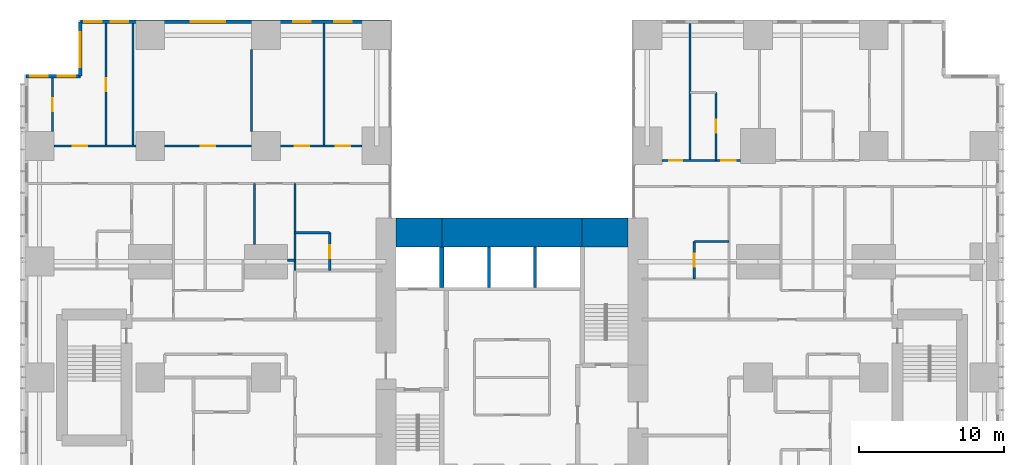
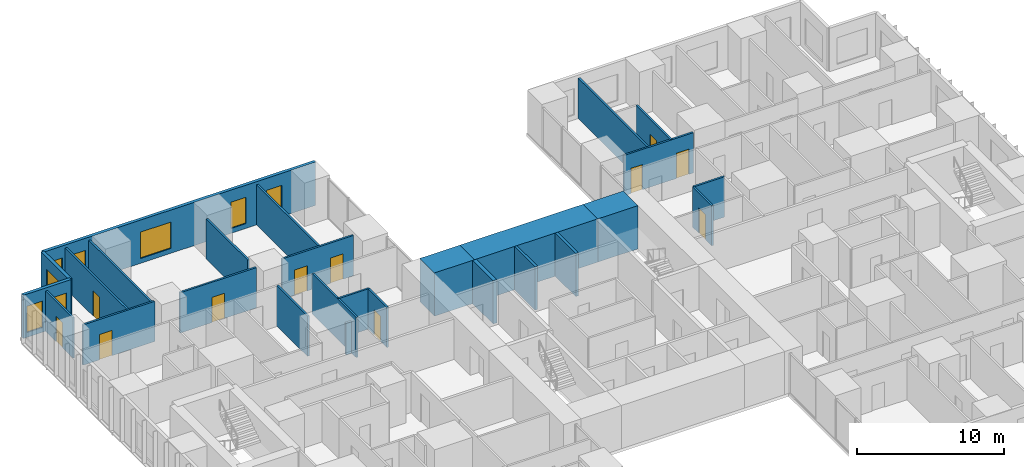
# One storey, part 17 of 20: 27 walls, 11 doors, 8 windows, 19 openings.
"""IFC4 building model written with IfcOpenShell, lengths in metres."""

import ifcopenshell
import ifcopenshell.guid

model = None  # the IFC model being written
_history = None  # IfcOwnerHistory: only IFC2X3 demands one
_inside = {}  # id of a spatial element -> (the spatial element, [elements in it])
_under = {}  # id of a project, library or spatial element -> (it, [spatial elements below it])
_declared = {}  # id of a project -> (the project, [libraries it declares])
_typed = {}  # id of a type object -> (the type object, [elements of that type])
_made_of = {}  # id of a material, layer set ... -> (it, [elements and type objects made of it])


def new_model(schema):
    """Start an empty IFC model of exactly this schema.

    Asked for "IFC4X3", IfcOpenShell would pick the latest addendum, in which some entities
    have other attributes; the version numbers below select the first issue.
    IFC2X3 requires an IfcOwnerHistory on every rooted entity: one is made here for all.
    """
    global model, _history
    if schema == "IFC4X3":
        model = ifcopenshell.file(schema_version=(4, 3, 0, 0))
    else:
        model = ifcopenshell.file(schema=schema)
    _inside.clear()
    _under.clear()
    _declared.clear()
    _typed.clear()
    _made_of.clear()
    _history = None
    if model.schema == "IFC2X3":
        org = make("IfcOrganization", Name="unknown")
        user = make(
            "IfcPersonAndOrganization",
            ThePerson=make("IfcPerson", FamilyName="unknown"),
            TheOrganization=org,
        )
        app = make(
            "IfcApplication",
            ApplicationDeveloper=org,
            Version="unknown",
            ApplicationFullName="unknown",
            ApplicationIdentifier="unknown",
        )
        _history = make(
            "IfcOwnerHistory",
            OwningUser=user,
            OwningApplication=app,
            ChangeAction="ADDED",
            CreationDate=0,
        )
    return model


def make(cls, **values):
    """One entity of the class cls with the attributes given. An attribute that is None is left unset."""
    return model.create_entity(
        cls, **{name: value for name, value in values.items() if value is not None}
    )


def rooted(cls, **values):
    """An entity with a GlobalId (a new one), such as an element, a storey or a relation."""
    return make(cls, GlobalId=ifcopenshell.guid.new(), OwnerHistory=_history, **values)


def si_unit(unit_type, name, prefix=None):
    """IfcSIUnit, for example si_unit("LENGTHUNIT", "METRE", prefix="MILLI")."""
    return make("IfcSIUnit", UnitType=unit_type, Prefix=prefix, Name=name)


def assignment(units):
    """IfcUnitAssignment: the units of a project."""
    return None if units is None else make("IfcUnitAssignment", Units=units)


def point(xyz):
    """IfcCartesianPoint."""
    return None if xyz is None else make("IfcCartesianPoint", Coordinates=xyz)


def direction(xyz):
    """IfcDirection."""
    return None if xyz is None else make("IfcDirection", DirectionRatios=xyz)


def frame(location, z_axis=None, x_axis=None):
    """IfcAxis2Placement3D, a coordinate frame: its origin and axes. An axis left out is left unset."""
    return make(
        "IfcAxis2Placement3D",
        Location=point(location),
        Axis=direction(z_axis),
        RefDirection=direction(x_axis),
    )


def frame_2d(location, x_axis=None):
    """IfcAxis2Placement2D, a coordinate frame in the plane: its origin and x axis."""
    return make(
        "IfcAxis2Placement2D", Location=point(location), RefDirection=direction(x_axis)
    )


def origin():
    """The frame at (0, 0, 0) with its axes left unset."""
    return frame((0.0, 0.0, 0.0))


def place(relative_to, where):
    """IfcLocalPlacement: puts the frame where relative to a parent placement (None: the world)."""
    return make(
        "IfcLocalPlacement", PlacementRelTo=relative_to, RelativePlacement=where
    )


def context(
    kind, dimensions, precision=None, world=None, true_north=None, identifier=None
):
    """IfcGeometricRepresentationContext, for example the 3D "Model" context."""
    return make(
        "IfcGeometricRepresentationContext",
        ContextIdentifier=identifier,
        ContextType=kind,
        CoordinateSpaceDimension=dimensions,
        Precision=precision,
        WorldCoordinateSystem=world,
        TrueNorth=true_north,
    )


def subcontext(parent, identifier, kind, view, scale=None):
    """IfcGeometricRepresentationSubContext, for example "Body" below "Model"."""
    return make(
        "IfcGeometricRepresentationSubContext",
        ContextIdentifier=identifier,
        ContextType=kind,
        ParentContext=parent,
        TargetScale=scale,
        TargetView=view,
    )


def project(units=None, contexts=None):
    """IfcProject with its units and contexts."""
    return rooted(
        "IfcProject",
        Name="project",
        RepresentationContexts=contexts,
        UnitsInContext=assignment(units),
    )


def spatial(cls, under=None, at=None, **own):
    """A site, building, storey or space (cls), placed at a placement, below another one or the project."""
    s = rooted(cls, ObjectPlacement=at, **own)
    if under is not None:
        _under.setdefault(under.id(), (under, []))[1].append(s)
    return s


def profile(cls, at=None, kind="AREA", **sizes):
    """A parametric profile (cls). Its sizes go by their IFC names, for example OverallWidth=200.0."""
    return make(cls, ProfileType=kind, Position=at, **sizes)


def rectangle(**sizes):
    """IfcRectangleProfileDef."""
    return profile("IfcRectangleProfileDef", **sizes)


def extrude(swept, where, along, depth):
    """IfcExtrudedAreaSolid: the profile swept, set in the frame where, extruded along a direction by depth."""
    return make(
        "IfcExtrudedAreaSolid",
        SweptArea=swept,
        Position=where,
        ExtrudedDirection=direction(along),
        Depth=depth,
    )


def shape(context_of_items, identifier, shape_type, items):
    """IfcShapeRepresentation: the items that make up one representation, for example the "Body"."""
    return make(
        "IfcShapeRepresentation",
        ContextOfItems=context_of_items,
        RepresentationIdentifier=identifier,
        RepresentationType=shape_type,
        Items=items,
    )


def material(Name=None, Category=None):
    """IfcMaterial."""
    return make("IfcMaterial", Name=Name, Category=Category)


def layer(
    of_material, thickness, ventilated=None, Name=None, Category=None, Priority=None
):
    """IfcMaterialLayer: one layer of a wall or slab, of a material (None: an air gap)."""
    return make(
        "IfcMaterialLayer",
        Material=of_material,
        LayerThickness=thickness,
        IsVentilated=ventilated,
        Name=Name,
        Category=Category,
        Priority=Priority,
    )


def layer_set(layers, Name=None):
    """IfcMaterialLayerSet."""
    return make("IfcMaterialLayerSet", MaterialLayers=layers, LayerSetName=Name)


def made_of(thing, what):
    """Note that an element or type object is made of a material, layer set ...; save() writes the relation."""
    if what is not None:
        _made_of.setdefault(what.id(), (what, []))[1].append(thing)
    return thing


def type_object(cls, material=None, **own):
    """A type object (cls), such as IfcWallType, which elements share."""
    return made_of(rooted(cls, **own), material)


def element(
    cls,
    number,
    at=None,
    inside=None,
    cuts=None,
    type_object=None,
    material=None,
    context=None,
    identifier="Body",
    shape_type=None,
    held_by="IfcProductDefinitionShape",
    body=None,
    shapes=None,
    **own,
):
    """One element of the class cls, such as IfcWall. Its Tag is "e" and its number.

    at: its placement. inside: the storey or other place that contains it. cuts: it is an
    opening in that element (IfcRelVoidsElement). A single representation is given by context,
    identifier, shape_type and body (its items); several are given by shapes. held_by: the class
    of the entity that holds the representations. save() writes the other relations.
    """
    e = rooted(cls, Tag="e%d" % number, ObjectPlacement=at, **own)
    if body is not None:
        shapes = [shape(context, identifier, shape_type, body)]
    if shapes is not None:
        e.Representation = make(held_by, Representations=shapes)
    if inside is not None:
        _inside.setdefault(inside.id(), (inside, []))[1].append(e)
    if cuts is not None:
        rooted(
            "IfcRelVoidsElement", RelatingBuildingElement=cuts, RelatedOpeningElement=e
        )
    if type_object is not None:
        _typed.setdefault(type_object.id(), (type_object, []))[1].append(e)
    return made_of(e, material)


def fill(opening, filler):
    """IfcRelFillsElement: the door or window that sits in an opening."""
    return rooted(
        "IfcRelFillsElement",
        RelatingOpeningElement=opening,
        RelatedBuildingElement=filler,
    )


def aggregate(whole, parts):
    """IfcRelAggregates: a whole, such as a stair, and the parts it consists of."""
    return rooted("IfcRelAggregates", RelatingObject=whole, RelatedObjects=parts)


def save(model, path):
    """Write the relations noted so far, then the file.

    IfcRelAggregates (storeys below a building ...), IfcRelContainedInSpatialStructure (elements
    in a storey), IfcRelDefinesByType, IfcRelAssociatesMaterial and IfcRelDeclares: one each for
    every whole, place, type object, material and project.
    """
    for whole, parts in _under.values():
        aggregate(whole, parts)
    for where, things in _inside.values():
        rooted(
            "IfcRelContainedInSpatialStructure",
            RelatedElements=things,
            RelatingStructure=where,
        )
    for kind, things in _typed.values():
        rooted("IfcRelDefinesByType", RelatedObjects=things, RelatingType=kind)
    for what, things in _made_of.values():
        rooted("IfcRelAssociatesMaterial", RelatedObjects=things, RelatingMaterial=what)
    for by, libraries in _declared.values():
        rooted("IfcRelDeclares", RelatingContext=by, RelatedDefinitions=libraries)
    model.write(path)


model = new_model("IFC4")

# Units and contexts
model_context = context("Model", 3, precision=1e-05, world=origin(), true_north=direction((0.0, 1.0)))
body_context = subcontext(model_context, "Body", "Model", "MODEL_VIEW")
ifc_project = project(units=[si_unit("LENGTHUNIT", "METRE"), si_unit("AREAUNIT", "SQUARE_METRE"), si_unit("VOLUMEUNIT", "CUBIC_METRE"), si_unit("PLANEANGLEUNIT", "RADIAN"), si_unit("MASSUNIT", "GRAM", prefix="KILO")], contexts=[model_context])

# Site, building, storey
site_placement = place(None, origin())
site = spatial("IfcSite", under=ifc_project, at=site_placement, CompositionType="ELEMENT")
building_placement = place(site_placement, origin())
building = spatial("IfcBuilding", under=site, at=building_placement, Name="Cleftline Residences", CompositionType="ELEMENT")
storey_placement = place(building_placement, frame((0.0, 0.0, 146.60009765625)))
storey = spatial("IfcBuildingStorey", under=building, at=storey_placement, Name="L38", CompositionType="ELEMENT", Elevation=146.60009765625)

# Walls
ifc_material_1 = material(Name="Concrete B70", Category="concrete")
ifc_layer_1 = layer(ifc_material_1, 2.0)
ifc_layer_set_1 = layer_set([ifc_layer_1], Name="CORE WALL 2000")
wall_type_1 = type_object("IfcWallType", Name="CORE WALL 2000", PredefinedType="SHEAR", material=ifc_layer_set_1)
wall_1_placement = place(storey_placement, frame((25.0, 34.0, 0.0), z_axis=(0.0, 0.0, 1.0), x_axis=(1.0, 0.0, 0.0)))
element("IfcWall", 1, at=wall_1_placement, inside=storey, type_object=wall_type_1, Name="Core wall N1", PredefinedType="SHEAR", context=body_context, shape_type="SweptSolid", body=[
    extrude(rectangle(XDim=3.14990234375, YDim=2.0, at=frame_2d((1.574951171875, 0.0))), origin(), (0.0, 0.0, 1.0), 3.599853515625),
])
wall_2_placement = place(storey_placement, frame((28.14990234375, 34.0, 0.0), z_axis=(0.0, 0.0, 1.0), x_axis=(1.0, 0.0, 0.0)))
element("IfcWall", 2, at=wall_2_placement, inside=storey, type_object=wall_type_1, Name="Core wall N2", PredefinedType="SHEAR", context=body_context, shape_type="SweptSolid", body=[
    extrude(rectangle(XDim=9.7001953125, YDim=2.0, at=frame_2d((4.85009765625, 0.0))), origin(), (0.0, 0.0, 1.0), 3.599853515625),
])
wall_3_placement = place(storey_placement, frame((37.85009765625, 34.0, 0.0), z_axis=(0.0, 0.0, 1.0), x_axis=(1.0, 0.0, 0.0)))
element("IfcWall", 3, at=wall_3_placement, inside=storey, type_object=wall_type_1, Name="Core wall N3", PredefinedType="SHEAR", context=body_context, shape_type="SweptSolid", body=[
    extrude(rectangle(XDim=3.14990234375, YDim=2.0, at=frame_2d((1.574951171875, 0.0))), origin(), (0.0, 0.0, 1.0), 3.599853515625),
])
ifc_material_2 = material(Name="Concrete B70", Category="concrete")
ifc_layer_2 = layer(ifc_material_2, 0.300048828125)
ifc_layer_set_2 = layer_set([ifc_layer_2], Name="CORE WALL 300")
wall_type_2 = type_object("IfcWallType", Name="CORE WALL 300", PredefinedType="SHEAR", material=ifc_layer_set_2)
wall_4_placement = place(storey_placement, frame((28.14990234375, 30.199951171875, 0.0), z_axis=(0.0, 0.0, 1.0), x_axis=(0.0, 1.0, 0.0)))
element("IfcWall", 4, at=wall_4_placement, inside=storey, type_object=wall_type_2, Name="Lift shaft wall", PredefinedType="SHEAR", context=body_context, shape_type="SweptSolid", body=[
    extrude(rectangle(XDim=2.800048828125, YDim=0.300048828125, at=frame_2d((1.39990234375, 0.0))), origin(), (0.0, 0.0, 1.0), 3.599853515625),
])

# Wall, openings, windows
ifc_material_3 = material(Name="Rendered reinforced concrete blockwork", Category="masonry")
ifc_layer_3 = layer(ifc_material_3, 0.25)
ifc_layer_set_3 = layer_set([ifc_layer_3], Name="EXTERNAL WALL 250")
wall_type_3 = type_object("IfcWallType", Name="EXTERNAL WALL 250", PredefinedType="SOLIDWALL", material=ifc_layer_set_3)
wall_5_placement = place(storey_placement, frame((24.574951171875, 48.574951171875, 0.0), z_axis=(0.0, 0.0, 1.0), x_axis=(-1.0, 0.0, 0.0)))
wall_5 = element("IfcWall", 5, at=wall_5_placement, inside=storey, type_object=wall_type_3, Name="External wall", PredefinedType="SOLIDWALL", context=body_context, shape_type="SweptSolid", body=[
    extrude(rectangle(XDim=21.39990234375, YDim=0.25, at=frame_2d((10.699951171875, 0.0))), origin(), (0.0, 0.0, 1.0), 3.599853515625),
])
opening_1_placement = place(wall_5_placement, frame((2.64990234375, 0.0, 0.39990234375)))
opening_1 = element("IfcOpeningElement", 6, at=opening_1_placement, cuts=wall_5, Name="Opening W11", PredefinedType="OPENING", context=body_context, shape_type="SweptSolid", body=[
    extrude(rectangle(XDim=1.199951171875, YDim=2.199951171875, at=frame_2d((0.60009765625, 1.10009765625))), frame((0.0, 0.135009765625, 0.0), z_axis=(0.0, -1.0, 0.0), x_axis=(1.0, 0.0, 0.0)), (0.0, 0.0, 1.0), 0.27001953125),
])
opening_2_placement = place(wall_5_placement, frame((5.47509765625, 0.0, 0.39990234375)))
opening_2 = element("IfcOpeningElement", 7, at=opening_2_placement, cuts=wall_5, Name="Opening W11", PredefinedType="OPENING", context=body_context, shape_type="SweptSolid", body=[
    extrude(rectangle(XDim=1.199951171875, YDim=2.199951171875, at=frame_2d((0.60009765625, 1.10009765625))), frame((0.0, 0.135009765625, 0.0), z_axis=(0.0, -1.0, 0.0), x_axis=(1.0, 0.0, 0.0)), (0.0, 0.0, 1.0), 0.27001953125),
])
opening_3_placement = place(wall_5_placement, frame((11.375, 0.0, 0.39990234375)))
opening_3 = element("IfcOpeningElement", 8, at=opening_3_placement, cuts=wall_5, Name="Opening W12", PredefinedType="OPENING", context=body_context, shape_type="SweptSolid", body=[
    extrude(rectangle(XDim=2.39990234375, YDim=2.199951171875, at=frame_2d((1.199951171875, 1.10009765625))), frame((0.0, 0.135009765625, 0.0), z_axis=(0.0, -1.0, 0.0), x_axis=(1.0, 0.0, 0.0)), (0.0, 0.0, 1.0), 0.27001953125),
])
opening_4_placement = place(wall_5_placement, frame((18.10009765625, 0.0, 0.39990234375)))
opening_4 = element("IfcOpeningElement", 9, at=opening_4_placement, cuts=wall_5, Name="Opening W11", PredefinedType="OPENING", context=body_context, shape_type="SweptSolid", body=[
    extrude(rectangle(XDim=1.199951171875, YDim=2.199951171875, at=frame_2d((0.60009765625, 1.10009765625))), frame((0.0, 0.135009765625, 0.0), z_axis=(0.0, -1.0, 0.0), x_axis=(1.0, 0.0, 0.0)), (0.0, 0.0, 1.0), 0.27001953125),
])
opening_5_placement = place(wall_5_placement, frame((19.925048828125, 0.0, 0.39990234375)))
opening_5 = element("IfcOpeningElement", 10, at=opening_5_placement, cuts=wall_5, Name="Opening W11", PredefinedType="OPENING", context=body_context, shape_type="SweptSolid", body=[
    extrude(rectangle(XDim=1.199951171875, YDim=2.199951171875, at=frame_2d((0.60009765625, 1.10009765625))), frame((0.0, 0.135009765625, 0.0), z_axis=(0.0, -1.0, 0.0), x_axis=(1.0, 0.0, 0.0)), (0.0, 0.0, 1.0), 0.27001953125),
])
ifc_material_4 = material(Name="Aluminium frame, clear double glazing", Category="aluminium")
window_type_1 = type_object("IfcWindowType", Name="WINDOW 1200X2200", PartitioningType="DOUBLE_PANEL_VERTICAL", PredefinedType="WINDOW", material=ifc_material_4)
window_1_placement = place(opening_1_placement, origin())
window_1 = element("IfcWindow", 11, at=window_1_placement, inside=storey, type_object=window_type_1, Name="Window", OverallHeight=2.199951171875, OverallWidth=1.199951171875, PartitioningType="SINGLE_PANEL", PredefinedType="WINDOW", context=body_context, shape_type="SweptSolid", body=[
    extrude(rectangle(XDim=1.199951171875, YDim=2.199951171875, at=frame_2d((0.60009765625, 1.10009765625))), frame((0.0, 0.030029296875, 0.0), z_axis=(0.0, -1.0, 0.0), x_axis=(1.0, 0.0, 0.0)), (0.0, 0.0, 1.0), 0.06005859375),
])
fill(opening_1, window_1)
window_2_placement = place(opening_2_placement, origin())
window_2 = element("IfcWindow", 12, at=window_2_placement, inside=storey, type_object=window_type_1, Name="Window", OverallHeight=2.199951171875, OverallWidth=1.199951171875, PartitioningType="SINGLE_PANEL", PredefinedType="WINDOW", context=body_context, shape_type="SweptSolid", body=[
    extrude(rectangle(XDim=1.199951171875, YDim=2.199951171875, at=frame_2d((0.60009765625, 1.10009765625))), frame((0.0, 0.030029296875, 0.0), z_axis=(0.0, -1.0, 0.0), x_axis=(1.0, 0.0, 0.0)), (0.0, 0.0, 1.0), 0.06005859375),
])
fill(opening_2, window_2)
window_3_placement = place(opening_4_placement, origin())
window_3 = element("IfcWindow", 13, at=window_3_placement, inside=storey, type_object=window_type_1, Name="Window", OverallHeight=2.199951171875, OverallWidth=1.199951171875, PartitioningType="SINGLE_PANEL", PredefinedType="WINDOW", context=body_context, shape_type="SweptSolid", body=[
    extrude(rectangle(XDim=1.199951171875, YDim=2.199951171875, at=frame_2d((0.60009765625, 1.10009765625))), frame((0.0, 0.030029296875, 0.0), z_axis=(0.0, -1.0, 0.0), x_axis=(1.0, 0.0, 0.0)), (0.0, 0.0, 1.0), 0.06005859375),
])
fill(opening_4, window_3)
window_4_placement = place(opening_5_placement, origin())
window_4 = element("IfcWindow", 14, at=window_4_placement, inside=storey, type_object=window_type_1, Name="Window", OverallHeight=2.199951171875, OverallWidth=1.199951171875, PartitioningType="SINGLE_PANEL", PredefinedType="WINDOW", context=body_context, shape_type="SweptSolid", body=[
    extrude(rectangle(XDim=1.199951171875, YDim=2.199951171875, at=frame_2d((0.60009765625, 1.10009765625))), frame((0.0, 0.030029296875, 0.0), z_axis=(0.0, -1.0, 0.0), x_axis=(1.0, 0.0, 0.0)), (0.0, 0.0, 1.0), 0.06005859375),
])
fill(opening_5, window_4)
ifc_material_5 = material(Name="Aluminium frame, clear double glazing", Category="aluminium")
window_type_2 = type_object("IfcWindowType", Name="WINDOW 2400X2200", PartitioningType="DOUBLE_PANEL_VERTICAL", PredefinedType="WINDOW", material=ifc_material_5)
window_5_placement = place(opening_3_placement, origin())
window_5 = element("IfcWindow", 15, at=window_5_placement, inside=storey, type_object=window_type_2, Name="Window", OverallHeight=2.199951171875, OverallWidth=2.39990234375, PartitioningType="SINGLE_PANEL", PredefinedType="WINDOW", context=body_context, shape_type="SweptSolid", body=[
    extrude(rectangle(XDim=2.39990234375, YDim=2.199951171875, at=frame_2d((1.199951171875, 1.10009765625))), frame((0.0, 0.030029296875, 0.0), z_axis=(0.0, -1.0, 0.0), x_axis=(1.0, 0.0, 0.0)), (0.0, 0.0, 1.0), 0.06005859375),
])
fill(opening_3, window_5)

# Wall, opening, window
wall_6_placement = place(storey_placement, frame((3.175048828125, 48.574951171875, 0.0), z_axis=(0.0, 0.0, 1.0), x_axis=(0.0, -1.0, 0.0)))
wall_6 = element("IfcWall", 16, at=wall_6_placement, inside=storey, type_object=wall_type_3, Name="External wall", PredefinedType="SOLIDWALL", context=body_context, shape_type="SweptSolid", body=[
    extrude(rectangle(XDim=3.75, YDim=0.25, at=frame_2d((1.875, 0.0))), origin(), (0.0, 0.0, 1.0), 3.599853515625),
])
opening_6_placement = place(wall_6_placement, frame((0.737548828125, 0.0, 0.39990234375)))
opening_6 = element("IfcOpeningElement", 17, at=opening_6_placement, cuts=wall_6, Name="Opening W12", PredefinedType="OPENING", context=body_context, shape_type="SweptSolid", body=[
    extrude(rectangle(XDim=2.39990234375, YDim=2.199951171875, at=frame_2d((1.199951171875, 1.10009765625))), frame((0.0, 0.135009765625, 0.0), z_axis=(0.0, -1.0, 0.0), x_axis=(1.0, 0.0, 0.0)), (0.0, 0.0, 1.0), 0.27001953125),
])
window_6_placement = place(opening_6_placement, origin())
window_6 = element("IfcWindow", 18, at=window_6_placement, inside=storey, type_object=window_type_2, Name="Window", OverallHeight=2.199951171875, OverallWidth=2.39990234375, PartitioningType="SINGLE_PANEL", PredefinedType="WINDOW", context=body_context, shape_type="SweptSolid", body=[
    extrude(rectangle(XDim=2.39990234375, YDim=2.199951171875, at=frame_2d((1.199951171875, 1.10009765625))), frame((0.0, 0.030029296875, 0.0), z_axis=(0.0, -1.0, 0.0), x_axis=(1.0, 0.0, 0.0)), (0.0, 0.0, 1.0), 0.06005859375),
])
fill(opening_6, window_6)

# Wall, openings, windows
wall_7_placement = place(storey_placement, frame((3.175048828125, 44.824951171875, 0.0), z_axis=(0.0, 0.0, 1.0), x_axis=(-1.0, 0.0, 0.0)))
wall_7 = element("IfcWall", 19, at=wall_7_placement, inside=storey, type_object=wall_type_3, Name="External wall", PredefinedType="SOLIDWALL", context=body_context, shape_type="SweptSolid", body=[
    extrude(rectangle(XDim=3.75, YDim=0.25, at=frame_2d((1.875, 0.0))), origin(), (0.0, 0.0, 1.0), 3.599853515625),
])
opening_7_placement = place(wall_7_placement, frame((0.362548828125, 0.0, 0.39990234375)))
opening_7 = element("IfcOpeningElement", 20, at=opening_7_placement, cuts=wall_7, Name="Opening W11", PredefinedType="OPENING", context=body_context, shape_type="SweptSolid", body=[
    extrude(rectangle(XDim=1.199951171875, YDim=2.199951171875, at=frame_2d((0.60009765625, 1.10009765625))), frame((0.0, 0.135009765625, 0.0), z_axis=(0.0, -1.0, 0.0), x_axis=(1.0, 0.0, 0.0)), (0.0, 0.0, 1.0), 0.27001953125),
])
opening_8_placement = place(wall_7_placement, frame((2.25, 0.0, 0.39990234375)))
opening_8 = element("IfcOpeningElement", 21, at=opening_8_placement, cuts=wall_7, Name="Opening W11", PredefinedType="OPENING", context=body_context, shape_type="SweptSolid", body=[
    extrude(rectangle(XDim=1.199951171875, YDim=2.199951171875, at=frame_2d((0.60009765625, 1.10009765625))), frame((0.0, 0.135009765625, 0.0), z_axis=(0.0, -1.0, 0.0), x_axis=(1.0, 0.0, 0.0)), (0.0, 0.0, 1.0), 0.27001953125),
])
window_7_placement = place(opening_7_placement, origin())
window_7 = element("IfcWindow", 22, at=window_7_placement, inside=storey, type_object=window_type_1, Name="Window", OverallHeight=2.199951171875, OverallWidth=1.199951171875, PartitioningType="SINGLE_PANEL", PredefinedType="WINDOW", context=body_context, shape_type="SweptSolid", body=[
    extrude(rectangle(XDim=1.199951171875, YDim=2.199951171875, at=frame_2d((0.60009765625, 1.10009765625))), frame((0.0, 0.030029296875, 0.0), z_axis=(0.0, -1.0, 0.0), x_axis=(1.0, 0.0, 0.0)), (0.0, 0.0, 1.0), 0.06005859375),
])
fill(opening_7, window_7)
window_8_placement = place(opening_8_placement, origin())
window_8 = element("IfcWindow", 23, at=window_8_placement, inside=storey, type_object=window_type_1, Name="Window", OverallHeight=2.199951171875, OverallWidth=1.199951171875, PartitioningType="SINGLE_PANEL", PredefinedType="WINDOW", context=body_context, shape_type="SweptSolid", body=[
    extrude(rectangle(XDim=1.199951171875, YDim=2.199951171875, at=frame_2d((0.60009765625, 1.10009765625))), frame((0.0, 0.030029296875, 0.0), z_axis=(0.0, -1.0, 0.0), x_axis=(1.0, 0.0, 0.0)), (0.0, 0.0, 1.0), 0.06005859375),
])
fill(opening_8, window_8)

# Walls
ifc_material_6 = material(Name="Gypsum board on steel studs", Category="steel")
ifc_layer_4 = layer(ifc_material_6, 0.14990234375)
ifc_layer_set_4 = layer_set([ifc_layer_4], Name="PARTITION 150")
wall_type_4 = type_object("IfcWallType", Name="PARTITION 150", PredefinedType="PARTITIONING", material=ifc_layer_set_4)
wall_8_placement = place(storey_placement, frame((17.5, 32.10009765625, 0.0), z_axis=(0.0, 0.0, 1.0), x_axis=(1.0, 0.0, 0.0)))
element("IfcWall", 24, at=wall_8_placement, inside=storey, type_object=wall_type_4, Name="Partition", PredefinedType="PARTITIONING", context=body_context, shape_type="SweptSolid", body=[
    extrude(rectangle(XDim=0.5, YDim=0.14990234375, at=frame_2d((0.25, 0.0))), origin(), (0.0, 0.0, 1.0), 2.6337890625),
])
for number, where, z_axis, x_axis, name in (
    (25, (45.60009765625, 33.39990234375, 0.0), (0.0, 0.0, 1.0), (1.0, 0.0, 0.0), "Partition"),
    (26, (18.0, 34.0, 0.0), (0.0, 0.0, 1.0), (1.0, 0.0, 0.0), "Partition"),
):
    element("IfcWall", number, at=place(storey_placement, frame(where, z_axis=z_axis, x_axis=x_axis)), inside=storey, type_object=wall_type_4, Name=name, PredefinedType="PARTITIONING", context=body_context, shape_type="SweptSolid", body=[
        extrude(rectangle(XDim=2.39990234375, YDim=0.14990234375, at=frame_2d((1.199951171875, 0.0))), origin(), (0.0, 0.0, 1.0), 3.349853515625),
    ])

# Wall, openings, doors
wall_9_placement = place(storey_placement, frame((43.35009765625, 39.0, 0.0), z_axis=(0.0, 0.0, 1.0), x_axis=(1.0, 0.0, 0.0)))
wall_9 = element("IfcWall", 27, at=wall_9_placement, inside=storey, type_object=wall_type_4, Name="Partition", PredefinedType="PARTITIONING", context=body_context, shape_type="SweptSolid", body=[
    extrude(rectangle(XDim=5.449951171875, YDim=0.14990234375, at=frame_2d((2.72509765625, 0.0))), origin(), (0.0, 0.0, 1.0), 3.349853515625),
])
opening_9_placement = place(wall_9_placement, frame((4.10009765625, 0.0, 0.0)))
opening_9 = element("IfcOpeningElement", 28, at=opening_9_placement, cuts=wall_9, Name="Opening D2", PredefinedType="OPENING", context=body_context, shape_type="SweptSolid", body=[
    extrude(rectangle(XDim=1.0, YDim=2.10009765625, at=frame_2d((0.5, 1.050048828125))), frame((0.0, 0.0849609375, 0.0), z_axis=(0.0, -1.0, 0.0), x_axis=(1.0, 0.0, 0.0)), (0.0, 0.0, 1.0), 0.169921875),
])
opening_10_placement = place(wall_9_placement, frame((0.52490234375, 0.0, 0.0)))
opening_10 = element("IfcOpeningElement", 29, at=opening_10_placement, cuts=wall_9, Name="Opening D1", PredefinedType="OPENING", context=body_context, shape_type="SweptSolid", body=[
    extrude(rectangle(XDim=0.89990234375, YDim=2.10009765625, at=frame_2d((0.449951171875, 1.050048828125))), frame((0.0, 0.0849609375, 0.0), z_axis=(0.0, -1.0, 0.0), x_axis=(1.0, 0.0, 0.0)), (0.0, 0.0, 1.0), 0.169921875),
])
ifc_material_7 = material(Name="Timber veneer on solid core", Category="wood")
door_type_1 = type_object("IfcDoorType", Name="DOOR 1000X2100", OperationType="SINGLE_SWING_LEFT", PredefinedType="DOOR", material=ifc_material_7)
door_1_placement = place(opening_9_placement, origin())
door_1 = element("IfcDoor", 30, at=door_1_placement, inside=storey, type_object=door_type_1, Name="Door to bedroom 3", OperationType="SINGLE_SWING_LEFT", OverallHeight=2.10009765625, OverallWidth=1.0, PredefinedType="DOOR", context=body_context, shape_type="SweptSolid", body=[
    extrude(rectangle(XDim=1.0, YDim=2.10009765625, at=frame_2d((0.5, 1.050048828125))), frame((0.0, 0.02490234375, 0.0), z_axis=(0.0, -1.0, 0.0), x_axis=(1.0, 0.0, 0.0)), (0.0, 0.0, 1.0), 0.050048828125),
])
fill(opening_9, door_1)
ifc_material_8 = material(Name="Timber veneer on solid core", Category="wood")
door_type_2 = type_object("IfcDoorType", Name="DOOR 900X2100", OperationType="SINGLE_SWING_LEFT", PredefinedType="DOOR", material=ifc_material_8)
door_2_placement = place(opening_10_placement, origin())
door_2 = element("IfcDoor", 31, at=door_2_placement, inside=storey, type_object=door_type_2, Name="Door to dressing room", OperationType="SINGLE_SWING_RIGHT", OverallHeight=2.10009765625, OverallWidth=0.89990234375, PredefinedType="DOOR", context=body_context, shape_type="SweptSolid", body=[
    extrude(rectangle(XDim=0.89990234375, YDim=2.10009765625, at=frame_2d((0.449951171875, 1.050048828125))), frame((0.0, 0.02490234375, 0.0), z_axis=(0.0, -1.0, 0.0), x_axis=(1.0, 0.0, 0.0)), (0.0, 0.0, 1.0), 0.050048828125),
])
fill(opening_10, door_2)

# Wall, opening, door
wall_10_placement = place(storey_placement, frame((1.35009765625, 40.0, 0.0), z_axis=(0.0, 0.0, 1.0), x_axis=(1.0, 0.0, 0.0)))
wall_10 = element("IfcWall", 32, at=wall_10_placement, inside=storey, type_object=wall_type_4, Name="Partition", PredefinedType="PARTITIONING", context=body_context, shape_type="SweptSolid", body=[
    extrude(rectangle(XDim=5.64990234375, YDim=0.14990234375, at=frame_2d((2.824951171875, 0.0))), origin(), (0.0, 0.0, 1.0), 3.349853515625),
])
opening_11_placement = place(wall_10_placement, frame((1.300048828125, 0.0, 0.0)))
opening_11 = element("IfcOpeningElement", 33, at=opening_11_placement, cuts=wall_10, Name="Opening D2", PredefinedType="OPENING", context=body_context, shape_type="SweptSolid", body=[
    extrude(rectangle(XDim=1.0, YDim=2.10009765625, at=frame_2d((0.5, 1.050048828125))), frame((0.0, 0.0849609375, 0.0), z_axis=(0.0, -1.0, 0.0), x_axis=(1.0, 0.0, 0.0)), (0.0, 0.0, 1.0), 0.169921875),
])
door_3_placement = place(opening_11_placement, origin())
door_3 = element("IfcDoor", 34, at=door_3_placement, inside=storey, type_object=door_type_1, Name="Door to bedroom 2", OperationType="SINGLE_SWING_RIGHT", OverallHeight=2.10009765625, OverallWidth=1.0, PredefinedType="DOOR", context=body_context, shape_type="SweptSolid", body=[
    extrude(rectangle(XDim=1.0, YDim=2.10009765625, at=frame_2d((0.5, 1.050048828125))), frame((0.0, 0.02490234375, 0.0), z_axis=(0.0, -1.0, 0.0), x_axis=(1.0, 0.0, 0.0)), (0.0, 0.0, 1.0), 0.050048828125),
])
fill(opening_11, door_3)

wall_11_placement = place(storey_placement, frame((9.0, 40.0, 0.0), z_axis=(0.0, 0.0, 1.0), x_axis=(1.0, 0.0, 0.0)))
wall_11 = element("IfcWall", 35, at=wall_11_placement, inside=storey, type_object=wall_type_4, Name="Partition", PredefinedType="PARTITIONING", context=body_context, shape_type="SweptSolid", body=[
    extrude(rectangle(XDim=6.0, YDim=0.14990234375, at=frame_2d((3.0, 0.0))), origin(), (0.0, 0.0, 1.0), 3.349853515625),
])
opening_12_placement = place(wall_11_placement, frame((2.5, 0.0, 0.0)))
opening_12 = element("IfcOpeningElement", 36, at=opening_12_placement, cuts=wall_11, Name="Opening D2", PredefinedType="OPENING", context=body_context, shape_type="SweptSolid", body=[
    extrude(rectangle(XDim=1.0, YDim=2.10009765625, at=frame_2d((0.5, 1.050048828125))), frame((0.0, 0.0849609375, 0.0), z_axis=(0.0, -1.0, 0.0), x_axis=(1.0, 0.0, 0.0)), (0.0, 0.0, 1.0), 0.169921875),
])
door_4_placement = place(opening_12_placement, origin())
door_4 = element("IfcDoor", 37, at=door_4_placement, inside=storey, type_object=door_type_1, Name="Door to living room", OperationType="SINGLE_SWING_LEFT", OverallHeight=2.10009765625, OverallWidth=1.0, PredefinedType="DOOR", context=body_context, shape_type="SweptSolid", body=[
    extrude(rectangle(XDim=1.0, YDim=2.10009765625, at=frame_2d((0.5, 1.050048828125))), frame((0.0, 0.02490234375, 0.0), z_axis=(0.0, -1.0, 0.0), x_axis=(1.0, 0.0, 0.0)), (0.0, 0.0, 1.0), 0.050048828125),
])
fill(opening_12, door_4)

# Wall, openings, doors
wall_12_placement = place(storey_placement, frame((17.0, 40.0, 0.0), z_axis=(0.0, 0.0, 1.0), x_axis=(1.0, 0.0, 0.0)))
wall_12 = element("IfcWall", 38, at=wall_12_placement, inside=storey, type_object=wall_type_4, Name="Partition", PredefinedType="PARTITIONING", context=body_context, shape_type="SweptSolid", body=[
    extrude(rectangle(XDim=5.64990234375, YDim=0.14990234375, at=frame_2d((2.824951171875, 0.0))), origin(), (0.0, 0.0, 1.0), 3.349853515625),
])
opening_13_placement = place(wall_12_placement, frame((1.0, 0.0, 0.0)))
opening_13 = element("IfcOpeningElement", 39, at=opening_13_placement, cuts=wall_12, Name="Opening D2", PredefinedType="OPENING", context=body_context, shape_type="SweptSolid", body=[
    extrude(rectangle(XDim=1.0, YDim=2.10009765625, at=frame_2d((0.5, 1.050048828125))), frame((0.0, 0.0849609375, 0.0), z_axis=(0.0, -1.0, 0.0), x_axis=(1.0, 0.0, 0.0)), (0.0, 0.0, 1.0), 0.169921875),
])
opening_14_placement = place(wall_12_placement, frame((3.824951171875, 0.0, 0.0)))
opening_14 = element("IfcOpeningElement", 40, at=opening_14_placement, cuts=wall_12, Name="Opening D2", PredefinedType="OPENING", context=body_context, shape_type="SweptSolid", body=[
    extrude(rectangle(XDim=1.0, YDim=2.10009765625, at=frame_2d((0.5, 1.050048828125))), frame((0.0, 0.0849609375, 0.0), z_axis=(0.0, -1.0, 0.0), x_axis=(1.0, 0.0, 0.0)), (0.0, 0.0, 1.0), 0.169921875),
])
door_5_placement = place(opening_13_placement, origin())
door_5 = element("IfcDoor", 41, at=door_5_placement, inside=storey, type_object=door_type_1, Name="Door to dining room", OperationType="SINGLE_SWING_RIGHT", OverallHeight=2.10009765625, OverallWidth=1.0, PredefinedType="DOOR", context=body_context, shape_type="SweptSolid", body=[
    extrude(rectangle(XDim=1.0, YDim=2.10009765625, at=frame_2d((0.5, 1.050048828125))), frame((0.0, 0.02490234375, 0.0), z_axis=(0.0, -1.0, 0.0), x_axis=(1.0, 0.0, 0.0)), (0.0, 0.0, 1.0), 0.050048828125),
])
fill(opening_13, door_5)
door_6_placement = place(opening_14_placement, origin())
door_6 = element("IfcDoor", 42, at=door_6_placement, inside=storey, type_object=door_type_1, Name="Door to show kitchen", OperationType="SINGLE_SWING_LEFT", OverallHeight=2.10009765625, OverallWidth=1.0, PredefinedType="DOOR", context=body_context, shape_type="SweptSolid", body=[
    extrude(rectangle(XDim=1.0, YDim=2.10009765625, at=frame_2d((0.5, 1.050048828125))), frame((0.0, 0.02490234375, 0.0), z_axis=(0.0, -1.0, 0.0), x_axis=(1.0, 0.0, 0.0)), (0.0, 0.0, 1.0), 0.050048828125),
])
fill(opening_14, door_6)

# Wall, opening, door
wall_13_placement = place(storey_placement, frame((1.25, 41.0, 0.0), z_axis=(0.0, 0.0, 1.0), x_axis=(0.0, 1.0, 0.0)))
wall_13 = element("IfcWall", 43, at=wall_13_placement, inside=storey, type_object=wall_type_4, Name="Partition", PredefinedType="PARTITIONING", context=body_context, shape_type="SweptSolid", body=[
    extrude(rectangle(XDim=3.699951171875, YDim=0.14990234375, at=frame_2d((1.85009765625, 0.0))), origin(), (0.0, 0.0, 1.0), 3.349853515625),
])
opening_15_placement = place(wall_13_placement, frame((1.39990234375, 0.0, 0.0)))
opening_15 = element("IfcOpeningElement", 44, at=opening_15_placement, cuts=wall_13, Name="Opening D1", PredefinedType="OPENING", context=body_context, shape_type="SweptSolid", body=[
    extrude(rectangle(XDim=0.89990234375, YDim=2.10009765625, at=frame_2d((0.449951171875, 1.050048828125))), frame((0.0, 0.0849609375, 0.0), z_axis=(0.0, -1.0, 0.0), x_axis=(1.0, 0.0, 0.0)), (0.0, 0.0, 1.0), 0.169921875),
])
door_7_placement = place(opening_15_placement, origin())
door_7 = element("IfcDoor", 45, at=door_7_placement, inside=storey, type_object=door_type_2, Name="Door to walk-in wardrobe", OperationType="SINGLE_SWING_LEFT", OverallHeight=2.10009765625, OverallWidth=0.89990234375, PredefinedType="DOOR", context=body_context, shape_type="SweptSolid", body=[
    extrude(rectangle(XDim=0.89990234375, YDim=2.10009765625, at=frame_2d((0.449951171875, 1.050048828125))), frame((0.0, 0.02490234375, 0.0), z_axis=(0.0, -1.0, 0.0), x_axis=(1.0, 0.0, 0.0)), (0.0, 0.0, 1.0), 0.050048828125),
])
fill(opening_15, door_7)

wall_14_placement = place(storey_placement, frame((4.949951171875, 40.0, 0.0), z_axis=(0.0, 0.0, 1.0), x_axis=(0.0, 1.0, 0.0)))
wall_14 = element("IfcWall", 46, at=wall_14_placement, inside=storey, type_object=wall_type_4, Name="Partition", PredefinedType="PARTITIONING", context=body_context, shape_type="SweptSolid", body=[
    extrude(rectangle(XDim=8.449951171875, YDim=0.14990234375, at=frame_2d((4.22509765625, 0.0))), origin(), (0.0, 0.0, 1.0), 3.349853515625),
])
opening_16_placement = place(wall_14_placement, frame((3.77490234375, 0.0, 0.0)))
opening_16 = element("IfcOpeningElement", 47, at=opening_16_placement, cuts=wall_14, Name="Opening D1", PredefinedType="OPENING", context=body_context, shape_type="SweptSolid", body=[
    extrude(rectangle(XDim=0.89990234375, YDim=2.10009765625, at=frame_2d((0.449951171875, 1.050048828125))), frame((0.0, 0.0849609375, 0.0), z_axis=(0.0, -1.0, 0.0), x_axis=(1.0, 0.0, 0.0)), (0.0, 0.0, 1.0), 0.169921875),
])
door_8_placement = place(opening_16_placement, origin())
door_8 = element("IfcDoor", 48, at=door_8_placement, inside=storey, type_object=door_type_2, Name="Door to en-suite bathroom 2", OperationType="SINGLE_SWING_LEFT", OverallHeight=2.10009765625, OverallWidth=0.89990234375, PredefinedType="DOOR", context=body_context, shape_type="SweptSolid", body=[
    extrude(rectangle(XDim=0.89990234375, YDim=2.10009765625, at=frame_2d((0.449951171875, 1.050048828125))), frame((0.0, 0.02490234375, 0.0), z_axis=(0.0, -1.0, 0.0), x_axis=(1.0, 0.0, 0.0)), (0.0, 0.0, 1.0), 0.050048828125),
])
fill(opening_16, door_8)

# Walls
wall_15_placement = place(storey_placement, frame((6.800048828125, 40.0, 0.0), z_axis=(0.0, 0.0, 1.0), x_axis=(0.0, 1.0, 0.0)))
element("IfcWall", 49, at=wall_15_placement, inside=storey, type_object=wall_type_4, Name="Partition", PredefinedType="PARTITIONING", context=body_context, shape_type="SweptSolid", body=[
    extrude(rectangle(XDim=8.449951171875, YDim=0.14990234375, at=frame_2d((4.22509765625, 0.0))), origin(), (0.0, 0.0, 1.0), 3.349853515625),
])
wall_16_placement = place(storey_placement, frame((15.0, 41.0, 0.0), z_axis=(0.0, 0.0, 1.0), x_axis=(0.0, 1.0, 0.0)))
element("IfcWall", 50, at=wall_16_placement, inside=storey, type_object=wall_type_4, Name="Partition", PredefinedType="PARTITIONING", context=body_context, shape_type="SweptSolid", body=[
    extrude(rectangle(XDim=5.64990234375, YDim=0.14990234375, at=frame_2d((2.824951171875, 0.0))), origin(), (0.0, 0.0, 1.0), 3.349853515625),
])
wall_17_placement = place(storey_placement, frame((15.199951171875, 33.199951171875, 0.0), z_axis=(0.0, 0.0, 1.0), x_axis=(0.0, 1.0, 0.0)))
element("IfcWall", 51, at=wall_17_placement, inside=storey, type_object=wall_type_4, Name="Partition", PredefinedType="PARTITIONING", context=body_context, shape_type="SweptSolid", body=[
    extrude(rectangle(XDim=4.199951171875, YDim=0.14990234375, at=frame_2d((2.10009765625, 0.0))), origin(), (0.0, 0.0, 1.0), 3.349853515625),
])
wall_18_placement = place(storey_placement, frame((18.0, 31.39990234375, 0.0), z_axis=(0.0, 0.0, 1.0), x_axis=(0.0, 1.0, 0.0)))
element("IfcWall", 52, at=wall_18_placement, inside=storey, type_object=wall_type_4, Name="Partition", PredefinedType="PARTITIONING", context=body_context, shape_type="SweptSolid", body=[
    extrude(rectangle(XDim=6.0, YDim=0.14990234375, at=frame_2d((3.0, 0.0))), origin(), (0.0, 0.0, 1.0), 3.349853515625),
])
wall_19_placement = place(storey_placement, frame((20.0, 40.0, 0.0), z_axis=(0.0, 0.0, 1.0), x_axis=(0.0, 1.0, 0.0)))
element("IfcWall", 53, at=wall_19_placement, inside=storey, type_object=wall_type_4, Name="Partition", PredefinedType="PARTITIONING", context=body_context, shape_type="SweptSolid", body=[
    extrude(rectangle(XDim=8.449951171875, YDim=0.14990234375, at=frame_2d((4.22509765625, 0.0))), origin(), (0.0, 0.0, 1.0), 3.349853515625),
])

# Wall, opening, door
wall_20_placement = place(storey_placement, frame((20.39990234375, 31.39990234375, 0.0), z_axis=(0.0, 0.0, 1.0), x_axis=(0.0, 1.0, 0.0)))
wall_20 = element("IfcWall", 54, at=wall_20_placement, inside=storey, type_object=wall_type_4, Name="Partition", PredefinedType="PARTITIONING", context=body_context, shape_type="SweptSolid", body=[
    extrude(rectangle(XDim=2.60009765625, YDim=0.14990234375, at=frame_2d((1.300048828125, 0.0))), origin(), (0.0, 0.0, 1.0), 3.349853515625),
])
opening_17_placement = place(wall_20_placement, frame((0.85009765625, 0.0, 0.0)))
opening_17 = element("IfcOpeningElement", 55, at=opening_17_placement, cuts=wall_20, Name="Opening D1", PredefinedType="OPENING", context=body_context, shape_type="SweptSolid", body=[
    extrude(rectangle(XDim=0.89990234375, YDim=2.10009765625, at=frame_2d((0.449951171875, 1.050048828125))), frame((0.0, 0.0849609375, 0.0), z_axis=(0.0, -1.0, 0.0), x_axis=(1.0, 0.0, 0.0)), (0.0, 0.0, 1.0), 0.169921875),
])
door_9_placement = place(opening_17_placement, origin())
door_9 = element("IfcDoor", 56, at=door_9_placement, inside=storey, type_object=door_type_2, Name="Door to en-suite bathroom 3", OperationType="SINGLE_SWING_LEFT", OverallHeight=2.10009765625, OverallWidth=0.89990234375, PredefinedType="DOOR", context=body_context, shape_type="SweptSolid", body=[
    extrude(rectangle(XDim=0.89990234375, YDim=2.10009765625, at=frame_2d((0.449951171875, 1.050048828125))), frame((0.0, 0.02490234375, 0.0), z_axis=(0.0, -1.0, 0.0), x_axis=(1.0, 0.0, 0.0)), (0.0, 0.0, 1.0), 0.050048828125),
])
fill(opening_17, door_9)

# Wall
wall_21_placement = place(storey_placement, frame((45.300048828125, 39.0, 0.0), z_axis=(0.0, 0.0, 1.0), x_axis=(0.0, 1.0, 0.0)))
element("IfcWall", 57, at=wall_21_placement, inside=storey, type_object=wall_type_4, Name="Partition", PredefinedType="PARTITIONING", context=body_context, shape_type="SweptSolid", body=[
    extrude(rectangle(XDim=9.449951171875, YDim=0.14990234375, at=frame_2d((4.72509765625, 0.0))), origin(), (0.0, 0.0, 1.0), 3.349853515625),
])

# Wall, opening, door
wall_22_placement = place(storey_placement, frame((45.60009765625, 30.800048828125, 0.0), z_axis=(0.0, 0.0, 1.0), x_axis=(0.0, 1.0, 0.0)))
wall_22 = element("IfcWall", 58, at=wall_22_placement, inside=storey, type_object=wall_type_4, Name="Partition", PredefinedType="PARTITIONING", context=body_context, shape_type="SweptSolid", body=[
    extrude(rectangle(XDim=2.599853515625, YDim=0.14990234375, at=frame_2d((1.2998046875, 0.0))), origin(), (0.0, 0.0, 1.0), 3.349853515625),
])
opening_18_placement = place(wall_22_placement, frame((0.85009765625, 0.0, 0.0)))
opening_18 = element("IfcOpeningElement", 59, at=opening_18_placement, cuts=wall_22, Name="Opening D1", PredefinedType="OPENING", context=body_context, shape_type="SweptSolid", body=[
    extrude(rectangle(XDim=0.89990234375, YDim=2.10009765625, at=frame_2d((0.449951171875, 1.050048828125))), frame((0.0, 0.0849609375, 0.0), z_axis=(0.0, -1.0, 0.0), x_axis=(1.0, 0.0, 0.0)), (0.0, 0.0, 1.0), 0.169921875),
])
door_10_placement = place(opening_18_placement, origin())
door_10 = element("IfcDoor", 60, at=door_10_placement, inside=storey, type_object=door_type_2, Name="Door to en-suite bathroom 4", OperationType="SINGLE_SWING_LEFT", OverallHeight=2.10009765625, OverallWidth=0.89990234375, PredefinedType="DOOR", context=body_context, shape_type="SweptSolid", body=[
    extrude(rectangle(XDim=0.89990234375, YDim=2.10009765625, at=frame_2d((0.449951171875, 1.050048828125))), frame((0.0, 0.02490234375, 0.0), z_axis=(0.0, -1.0, 0.0), x_axis=(1.0, 0.0, 0.0)), (0.0, 0.0, 1.0), 0.050048828125),
])
fill(opening_18, door_10)

wall_23_placement = place(storey_placement, frame((47.10009765625, 39.0, 0.0), z_axis=(0.0, 0.0, 1.0), x_axis=(0.0, 1.0, 0.0)))
wall_23 = element("IfcWall", 61, at=wall_23_placement, inside=storey, type_object=wall_type_4, Name="Partition", PredefinedType="PARTITIONING", context=body_context, shape_type="SweptSolid", body=[
    extrude(rectangle(XDim=4.699951171875, YDim=0.14990234375, at=frame_2d((2.35009765625, 0.0))), origin(), (0.0, 0.0, 1.0), 3.349853515625),
])
opening_19_placement = place(wall_23_placement, frame((1.89990234375, 0.0, 0.0)))
opening_19 = element("IfcOpeningElement", 62, at=opening_19_placement, cuts=wall_23, Name="Opening D1", PredefinedType="OPENING", context=body_context, shape_type="SweptSolid", body=[
    extrude(rectangle(XDim=0.89990234375, YDim=2.10009765625, at=frame_2d((0.449951171875, 1.050048828125))), frame((0.0, 0.0849609375, 0.0), z_axis=(0.0, -1.0, 0.0), x_axis=(1.0, 0.0, 0.0)), (0.0, 0.0, 1.0), 0.169921875),
])
door_11_placement = place(opening_19_placement, origin())
door_11 = element("IfcDoor", 63, at=door_11_placement, inside=storey, type_object=door_type_2, Name="Door to en-suite bathroom 3", OperationType="SINGLE_SWING_LEFT", OverallHeight=2.10009765625, OverallWidth=0.89990234375, PredefinedType="DOOR", context=body_context, shape_type="SweptSolid", body=[
    extrude(rectangle(XDim=0.89990234375, YDim=2.10009765625, at=frame_2d((0.449951171875, 1.050048828125))), frame((0.0, 0.02490234375, 0.0), z_axis=(0.0, -1.0, 0.0), x_axis=(1.0, 0.0, 0.0)), (0.0, 0.0, 1.0), 0.050048828125),
])
fill(opening_19, door_11)

# Walls
ifc_material_9 = material(Name="Concrete blockwork, fire rated", Category="masonry")
ifc_layer_5 = layer(ifc_material_9, 0.199951171875)
ifc_layer_set_5 = layer_set([ifc_layer_5], Name="SHAFT WALL 200")
wall_type_5 = type_object("IfcWallType", Name="SHAFT WALL 200", PredefinedType="PARTITIONING", material=ifc_layer_set_5)
for number, where, z_axis, x_axis, name in (
    (64, (31.39990234375, 30.199951171875, 0.0), (0.0, 0.0, 1.0), (0.0, 1.0, 0.0), "Lift shaft wall"),
    (65, (34.60009765625, 30.199951171875, 0.0), (0.0, 0.0, 1.0), (0.0, 1.0, 0.0), "Lift shaft wall"),
):
    element("IfcWall", number, at=place(storey_placement, frame(where, z_axis=z_axis, x_axis=x_axis)), inside=storey, type_object=wall_type_5, Name=name, PredefinedType="PARTITIONING", context=body_context, shape_type="SweptSolid", body=[
        extrude(rectangle(XDim=2.800048828125, YDim=0.199951171875, at=frame_2d((1.39990234375, 0.0))), origin(), (0.0, 0.0, 1.0), 3.599853515625),
    ])

save(model, "model.ifc")
